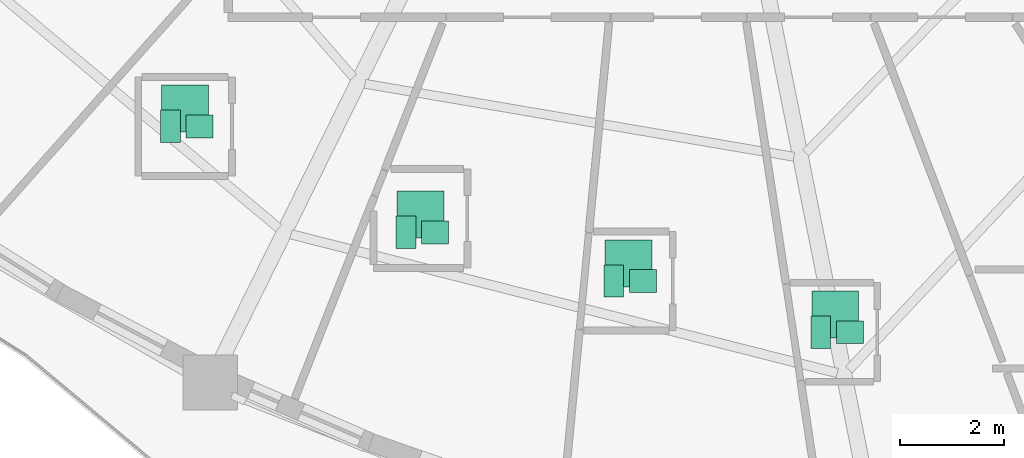
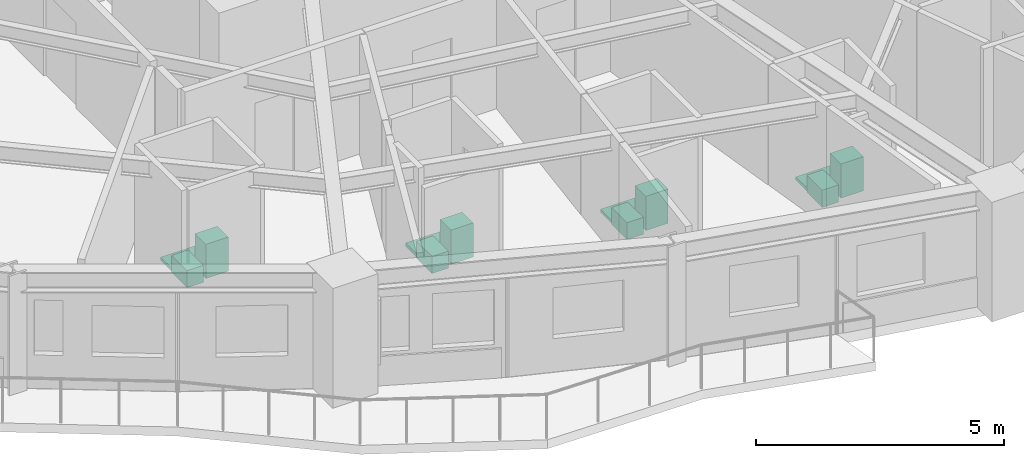
# One storey, part 14 of 14: 12 sanitary terminals.
"""IFC4 building model written with IfcOpenShell, lengths in metres."""

from ifc_helpers import new_model, si_unit, direction, frame, origin, origin_2d, place, context, subcontext, project, spatial, rectangle, extrude, source, transform, mapped, material, type_object, element, save


model = new_model("IFC4")

# Units and contexts
model_context = context("Model", 3, precision=1e-05, world=origin(), true_north=direction((0.0, 1.0)))
body_context = subcontext(model_context, "Body", "Model", "MODEL_VIEW")
ifc_project = project(units=[si_unit("LENGTHUNIT", "METRE"), si_unit("AREAUNIT", "SQUARE_METRE"), si_unit("VOLUMEUNIT", "CUBIC_METRE"), si_unit("PLANEANGLEUNIT", "RADIAN"), si_unit("MASSUNIT", "GRAM", prefix="KILO")], contexts=[model_context])

# Site, building, storey
site_placement = place(None, origin())
site = spatial("IfcSite", under=ifc_project, at=site_placement, CompositionType="ELEMENT")
building_placement = place(site_placement, origin())
building = spatial("IfcBuilding", under=site, at=building_placement, Name="Qafzar Sky-Pleat Residences", CompositionType="ELEMENT")
storey_placement = place(building_placement, frame((0.0, 0.0, 17.39990234375)))
storey = spatial("IfcBuildingStorey", under=building, at=storey_placement, Name="L04", CompositionType="ELEMENT", Elevation=17.39990234375)

# Sanitary terminals
ifc_material_1 = material(Name="Vitreous china sanitaryware")
sanitary_terminal_type_1 = type_object("IfcSanitaryTerminalType", Name="SAN-WC-PAN", PredefinedType="TOILETPAN", material=ifc_material_1)
shared_shape_1 = source(origin(), body_context, "Body", "SweptSolid", [
    extrude(rectangle(XDim=0.3798828125, YDim=0.6201171875, at=origin_2d()), origin(), (0.0, 0.0, 1.0), 0.419921875),
])
for number, where, z_axis, x_axis, name in (
    (1, (20.912109375, 13.323974609375, 0.000244140625), (0.0, 0.0, 1.0), (1.0, 0.0, 0.0), "L04 En-suite Bathroom 5 WC Pan"),
    (2, (25.430908203125, 11.290283203125, 0.000244140625), (0.0, 0.0, 1.0), (1.0, 0.0, 0.0), "L04 En-suite Bathroom 6 WC Pan"),
    (3, (29.421142578125, 10.35595703125, 0.000244140625), (0.0, 0.0, 1.0), (1.0, 0.0, 0.0), "L04 En-suite Bathroom 7 WC Pan"),
    (4, (33.390869140625, 9.3740234375, 0.000244140625), (0.0, 0.0, 1.0), (1.0, 0.0, 0.0), "L04 En-suite Bathroom 8 WC Pan"),
):
    element("IfcSanitaryTerminal", number, at=place(storey_placement, frame(where, z_axis=z_axis, x_axis=x_axis)), inside=storey, type_object=sanitary_terminal_type_1, Name=name, PredefinedType="TOILETPAN", context=body_context, shape_type="MappedRepresentation", body=[
        mapped(shared_shape_1, transform((0.0, 0.0, 0.0), x_axis=(1.0, 0.0, 0.0), y_axis=(0.0, 1.0, 0.0), z_axis=(0.0, 0.0, 1.0), scale=1.0)),
    ])
sanitary_terminal_type_2 = type_object("IfcSanitaryTerminalType", Name="SAN-BASIN", PredefinedType="WASHHANDBASIN", material=ifc_material_1)
shared_shape_2 = source(origin(), body_context, "Body", "SweptSolid", [
    extrude(rectangle(XDim=0.52001953125, YDim=0.43994140625, at=origin_2d()), origin(), (0.0, 0.0, 1.0), 0.840087890625),
])
for number, where, z_axis, x_axis, name in (
    (5, (21.471923828125, 13.323974609375, 0.0), (0.0, 0.0, 1.0), (1.0, 0.0, 0.0), "L04 En-suite Bathroom 5 Pedestal Washbasin"),
    (6, (25.990966796875, 11.290283203125, 0.0), (0.0, 0.0, 1.0), (1.0, 0.0, 0.0), "L04 En-suite Bathroom 6 Pedestal Washbasin"),
    (7, (29.981201171875, 10.35595703125, 0.0), (0.0, 0.0, 1.0), (1.0, 0.0, 0.0), "L04 En-suite Bathroom 7 Pedestal Washbasin"),
    (8, (33.950927734375, 9.3740234375, 0.0), (0.0, 0.0, 1.0), (1.0, 0.0, 0.0), "L04 En-suite Bathroom 8 Pedestal Washbasin"),
):
    element("IfcSanitaryTerminal", number, at=place(storey_placement, frame(where, z_axis=z_axis, x_axis=x_axis)), inside=storey, type_object=sanitary_terminal_type_2, Name=name, PredefinedType="WASHHANDBASIN", context=body_context, shape_type="MappedRepresentation", body=[
        mapped(shared_shape_2, transform((0.0, 0.0, 0.0), x_axis=(1.0, 0.0, 0.0), y_axis=(0.0, 1.0, 0.0), z_axis=(0.0, 0.0, 1.0), scale=1.0)),
    ])
ifc_material_2 = material(Name="Vitreous china and acrylic tray")
sanitary_terminal_type_3 = type_object("IfcSanitaryTerminalType", Name="SAN-SHOWER", PredefinedType="SHOWER", material=ifc_material_2)
shared_shape_3 = source(origin(), body_context, "Body", "SweptSolid", [
    extrude(rectangle(XDim=0.89990234375, YDim=0.89990234375, at=origin_2d()), origin(), (0.0, 0.0, 1.0), 0.080078125),
])
for number, where, z_axis, x_axis, name in (
    (9, (21.19189453125, 13.6640625, 0.0), (0.0, 0.0, 1.0), (1.0, 0.0, 0.0), "L04 En-suite Bathroom 5 Walk-In Shower"),
    (10, (25.7109375, 11.63037109375, 0.0), (0.0, 0.0, 1.0), (1.0, 0.0, 0.0), "L04 En-suite Bathroom 6 Walk-In Shower"),
    (11, (29.701171875, 10.696044921875, 0.0), (0.0, 0.0, 1.0), (1.0, 0.0, 0.0), "L04 En-suite Bathroom 7 Walk-In Shower"),
    (12, (33.6708984375, 9.714111328125, 0.0), (0.0, 0.0, 1.0), (1.0, 0.0, 0.0), "L04 En-suite Bathroom 8 Walk-In Shower"),
):
    element("IfcSanitaryTerminal", number, at=place(storey_placement, frame(where, z_axis=z_axis, x_axis=x_axis)), inside=storey, type_object=sanitary_terminal_type_3, Name=name, PredefinedType="SHOWER", context=body_context, shape_type="MappedRepresentation", body=[
        mapped(shared_shape_3, transform((0.0, 0.0, 0.0), x_axis=(1.0, 0.0, 0.0), y_axis=(0.0, 1.0, 0.0), z_axis=(0.0, 0.0, 1.0), scale=1.0)),
    ])

save(model, "model.ifc")
